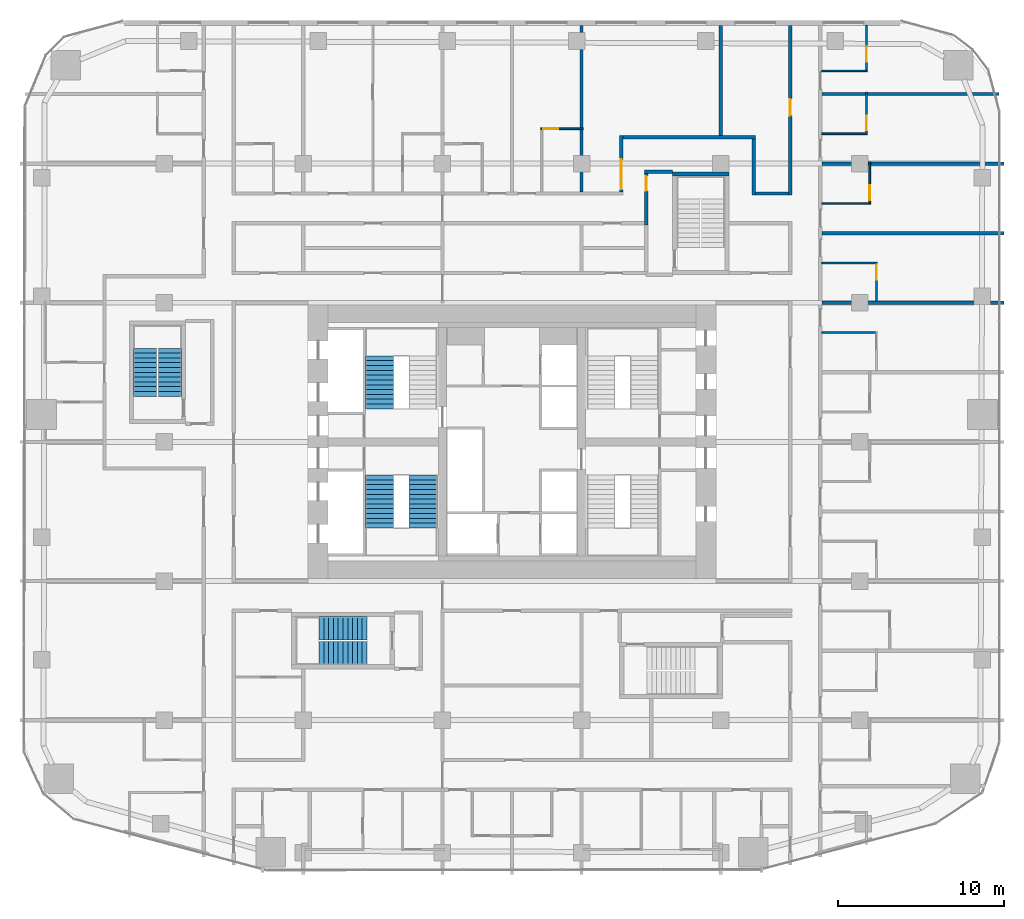
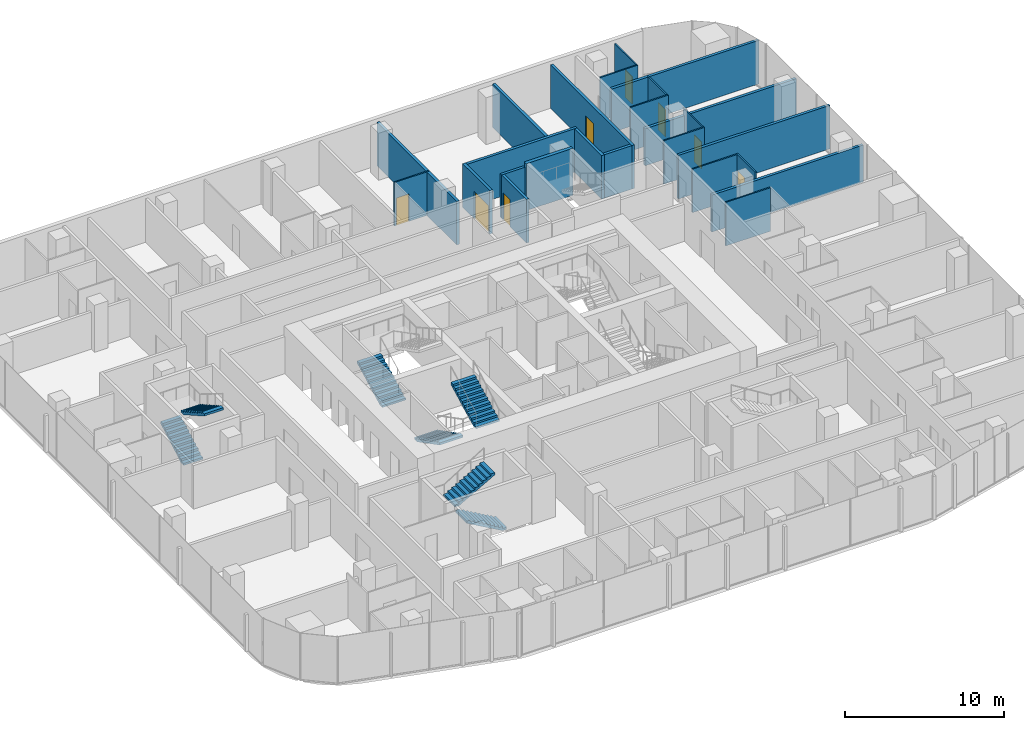
# One storey, part 23 of 26: 24 walls, 8 doors, 7 stair flights, 8 openings, 4 elements without a shape of their own.
"""IFC4 building model written with IfcOpenShell, lengths in metres."""

from ifc_helpers import new_model, si_unit, direction, frame, frame_2d, origin, place, context, subcontext, project, spatial, polyline, rectangle, outline, extrude, material, layer, layer_set, type_object, element, fill, aggregate, save


model = new_model("IFC4")

# Units and contexts
model_context = context("Model", 3, precision=1e-05, world=origin(), true_north=direction((0.0, 1.0)))
body_context = subcontext(model_context, "Body", "Model", "MODEL_VIEW")
ifc_project = project(units=[si_unit("LENGTHUNIT", "METRE"), si_unit("AREAUNIT", "SQUARE_METRE"), si_unit("VOLUMEUNIT", "CUBIC_METRE"), si_unit("PLANEANGLEUNIT", "RADIAN"), si_unit("MASSUNIT", "GRAM", prefix="KILO")], contexts=[model_context])

# Site, building, storey
site_placement = place(None, origin())
site = spatial("IfcSite", under=ifc_project, at=site_placement, CompositionType="ELEMENT")
building_placement = place(site_placement, origin())
building = spatial("IfcBuilding", under=site, at=building_placement, Name="Marenta Gate Hotel Tower", CompositionType="ELEMENT")
storey_placement = place(building_placement, frame((0.0, 0.0, 79.699951171875)))
storey = spatial("IfcBuildingStorey", under=building, at=storey_placement, Name="L18", CompositionType="ELEMENT", Elevation=79.699951171875)

# Wall
ifc_material_1 = material(Name="Concrete C40", Category="concrete")
ifc_layer_1 = layer(ifc_material_1, 0.25)
ifc_layer_set_1 = layer_set([ifc_layer_1], Name="Concrete C40")
wall_type_1 = type_object("IfcWallType", Name="Remote stair enclosure wall 250 REI 180", PredefinedType="SHEAR", material=ifc_layer_set_1)
wall_1_placement = place(storey_placement, frame((9.699951171875, 24.574951171875, 0.10009765625), z_axis=(0.0, 0.0, 1.0), x_axis=(1.0, 0.0, 0.0)))
element("IfcWall", 1, at=wall_1_placement, inside=storey, type_object=wall_type_1, Name="L18-RS-Z1-4-W2", PredefinedType="SHEAR", context=body_context, shape_type="SweptSolid", body=[
    extrude(rectangle(XDim=3.400146484375, YDim=0.25, at=frame_2d((1.7001953125, 0.0))), origin(), (0.0, 0.0, 1.0), 3.599853515625),
])

# Wall, opening, door
ifc_material_2 = material(Name="Gypsum board on steel stud", Category="steel")
ifc_layer_2 = layer(ifc_material_2, 0.199951171875)
ifc_layer_set_2 = layer_set([ifc_layer_2], Name="Gypsum board on steel stud")
wall_type_2 = type_object("IfcWallType", Name="Room corridor wall 200 EI 60", PredefinedType="PARTITIONING", material=ifc_layer_set_2)
wall_2_placement = place(storey_placement, frame((16.800048828125, 23.300048828125, 0.0), z_axis=(0.0, 0.0, 1.0), x_axis=(0.0, 1.0, 0.0)))
wall_2 = element("IfcWall", 2, at=wall_2_placement, inside=storey, type_object=wall_type_2, Name="L18-PTN-W019", PredefinedType="PARTITIONING", context=body_context, shape_type="SweptSolid", body=[
    extrude(rectangle(XDim=10.239990234375, YDim=0.199951171875, at=frame_2d((5.1201171875, 0.0))), origin(), (0.0, 0.0, 1.0), 3.340087890625),
])
opening_1_placement = place(wall_2_placement, frame((4.800048828125, 0.0, 0.0)))
opening_1 = element("IfcOpeningElement", 3, at=opening_1_placement, cuts=wall_2, Name="Opening G07-69", PredefinedType="OPENING", context=body_context, shape_type="SweptSolid", body=[
    extrude(rectangle(XDim=1.0, YDim=2.10009765625, at=frame_2d((0.5, 1.050048828125))), frame((0.0, 0.10009765625, 0.0), z_axis=(0.0, -1.0, 0.0), x_axis=(1.0, 0.0, 0.0)), (0.0, 0.0, 1.0), 0.199951171875),
])
ifc_material_3 = material(Name="Timber door leaf", Category="wood")
door_type_1 = type_object("IfcDoorType", Name="Room amenity door 1000x2100 EI 30", OperationType="NOTDEFINED", PredefinedType="DOOR", material=ifc_material_3)
door_1_placement = place(opening_1_placement, origin())
door_1 = element("IfcDoor", 4, at=door_1_placement, inside=storey, type_object=door_type_1, Name="L18-PD-D069", OperationType="SINGLE_SWING_LEFT", OverallHeight=2.10009765625, OverallWidth=1.0, PredefinedType="DOOR", context=body_context, shape_type="SweptSolid", body=[
    extrude(rectangle(XDim=1.0, YDim=2.10009765625, at=frame_2d((0.5, 1.050048828125))), frame((0.0, 0.02490234375, 0.0), z_axis=(0.0, -1.0, 0.0), x_axis=(1.0, 0.0, 0.0)), (0.0, 0.0, 1.0), 0.050048828125),
])
fill(opening_1, door_1)

# Wall
wall_3_placement = place(storey_placement, frame((14.60009765625, 23.300048828125, 0.0), z_axis=(0.0, 0.0, 1.0), x_axis=(0.0, 1.0, 0.0)))
element("IfcWall", 5, at=wall_3_placement, inside=storey, type_object=wall_type_2, Name="L18-PTN-W031", PredefinedType="PARTITIONING", context=body_context, shape_type="SweptSolid", body=[
    extrude(rectangle(XDim=3.39990234375, YDim=0.199951171875, at=frame_2d((1.699951171875, 0.0))), origin(), (0.0, 0.0, 1.0), 3.340087890625),
])

# Wall, opening, door
wall_4_placement = place(storey_placement, frame((6.60009765625, 23.5, 0.0), z_axis=(0.0, 0.0, 1.0), x_axis=(0.0, 1.0, 0.0)))
wall_4 = element("IfcWall", 6, at=wall_4_placement, inside=storey, type_object=wall_type_2, Name="L18-PTN-W051", PredefinedType="PARTITIONING", context=body_context, shape_type="SweptSolid", body=[
    extrude(rectangle(XDim=3.39990234375, YDim=0.199951171875, at=frame_2d((1.699951171875, 0.0))), origin(), (0.0, 0.0, 1.0), 3.340087890625),
])
opening_2_placement = place(wall_4_placement, frame((0.14990234375, 0.0, 0.0)))
opening_2 = element("IfcOpeningElement", 7, at=opening_2_placement, cuts=wall_4, Name="Opening G07-40", PredefinedType="OPENING", context=body_context, shape_type="SweptSolid", body=[
    extrude(rectangle(XDim=1.800048828125, YDim=2.10009765625, at=frame_2d((0.89990234375, 1.050048828125))), frame((0.0, 0.10009765625, 0.0), z_axis=(0.0, -1.0, 0.0), x_axis=(1.0, 0.0, 0.0)), (0.0, 0.0, 1.0), 0.199951171875),
])
ifc_material_4 = material(Name="Timber door leaf", Category="wood")
door_type_2 = type_object("IfcDoorType", Name="Room amenity door 1800x2100 EI 30", OperationType="DOUBLE_DOOR_SINGLE_SWING", PredefinedType="DOOR", material=ifc_material_4)
door_2_placement = place(opening_2_placement, origin())
door_2 = element("IfcDoor", 8, at=door_2_placement, inside=storey, type_object=door_type_2, Name="L18-PD-D040", OperationType="DOUBLE_DOOR_SINGLE_SWING", OverallHeight=2.10009765625, OverallWidth=1.800048828125, PredefinedType="DOOR", context=body_context, shape_type="SweptSolid", body=[
    extrude(rectangle(XDim=1.800048828125, YDim=2.10009765625, at=frame_2d((0.89990234375, 1.050048828125))), frame((0.0, 0.02490234375, 0.0), z_axis=(0.0, -1.0, 0.0), x_axis=(1.0, 0.0, 0.0)), (0.0, 0.0, 1.0), 0.050048828125),
])
fill(opening_2, door_2)

# Walls
wall_5_placement = place(storey_placement, frame((14.699951171875, 23.39990234375, 0.0), z_axis=(0.0, 0.0, 1.0), x_axis=(1.0, 0.0, 0.0)))
element("IfcWall", 9, at=wall_5_placement, inside=storey, type_object=wall_type_2, Name="L18-PTN-W132", PredefinedType="PARTITIONING", context=body_context, shape_type="SweptSolid", body=[
    extrude(rectangle(XDim=2.0, YDim=0.199951171875, at=frame_2d((1.0, 0.0))), origin(), (0.0, 0.0, 1.0), 3.340087890625),
])
wall_6_placement = place(storey_placement, frame((6.699951171875, 26.800048828125, 0.0), z_axis=(0.0, 0.0, 1.0), x_axis=(1.0, 0.0, 0.0)))
element("IfcWall", 10, at=wall_6_placement, inside=storey, type_object=wall_type_2, Name="L18-PTN-W139", PredefinedType="PARTITIONING", context=body_context, shape_type="SweptSolid", body=[
    extrude(rectangle(XDim=8.0, YDim=0.199951171875, at=frame_2d((4.0, 0.0))), origin(), (0.0, 0.0, 1.0), 3.340087890625),
])

# Wall, opening, door
ifc_material_5 = material(Name="Concrete blockwork", Category="masonry")
ifc_layer_3 = layer(ifc_material_5, 0.199951171875)
ifc_layer_set_3 = layer_set([ifc_layer_3], Name="Concrete blockwork")
wall_type_3 = type_object("IfcWallType", Name="Room corridor wall 200 REI 180", PredefinedType="PARTITIONING", material=ifc_layer_set_3)
wall_7_placement = place(storey_placement, frame((8.10009765625, 21.5, 0.0), z_axis=(0.0, 0.0, 1.0), x_axis=(0.0, 1.0, 0.0)))
wall_7 = element("IfcWall", 11, at=wall_7_placement, inside=storey, type_object=wall_type_3, Name="L18-PTN-W049", PredefinedType="PARTITIONING", context=body_context, shape_type="SweptSolid", body=[
    extrude(rectangle(XDim=3.10009765625, YDim=0.199951171875, at=frame_2d((1.550048828125, 0.0))), origin(), (0.0, 0.0, 1.0), 3.340087890625),
])
opening_3_placement = place(wall_7_placement, frame((2.050048828125, 0.0, 0.0)))
opening_3 = element("IfcOpeningElement", 12, at=opening_3_placement, cuts=wall_7, Name="Opening G07-67", PredefinedType="OPENING", context=body_context, shape_type="SweptSolid", body=[
    extrude(rectangle(XDim=0.89990234375, YDim=2.10009765625, at=frame_2d((0.449951171875, 1.050048828125))), frame((0.0, 0.10009765625, 0.0), z_axis=(0.0, -1.0, 0.0), x_axis=(1.0, 0.0, 0.0)), (0.0, 0.0, 1.0), 0.199951171875),
])
ifc_material_6 = material(Name="Hollow steel door set", Category="steel")
door_type_3 = type_object("IfcDoorType", Name="Stair vestibule door 900x2100 EI 60", OperationType="NOTDEFINED", PredefinedType="DOOR", material=ifc_material_6)
door_3_placement = place(opening_3_placement, origin())
door_3 = element("IfcDoor", 13, at=door_3_placement, inside=storey, type_object=door_type_3, Name="L18-PD-D067", OperationType="SINGLE_SWING_LEFT", OverallHeight=2.10009765625, OverallWidth=0.89990234375, PredefinedType="DOOR", context=body_context, shape_type="SweptSolid", body=[
    extrude(rectangle(XDim=0.89990234375, YDim=2.10009765625, at=frame_2d((0.449951171875, 1.050048828125))), frame((0.0, 0.02490234375, 0.0), z_axis=(0.0, -1.0, 0.0), x_axis=(1.0, 0.0, 0.0)), (0.0, 0.0, 1.0), 0.050048828125),
])
fill(opening_3, door_3)

# Wall
wall_8_placement = place(storey_placement, frame((8.0, 24.699951171875, 0.0), z_axis=(0.0, 0.0, 1.0), x_axis=(1.0, 0.0, 0.0)))
element("IfcWall", 14, at=wall_8_placement, inside=storey, type_object=wall_type_3, Name="L18-PTN-W134", PredefinedType="PARTITIONING", context=body_context, shape_type="SweptSolid", body=[
    extrude(rectangle(XDim=1.699951171875, YDim=0.199951171875, at=frame_2d((0.85009765625, 0.0))), origin(), (0.0, 0.0, 1.0), 3.340087890625),
])

# Wall, opening, door
ifc_material_7 = material(Name="Gypsum board on steel stud", Category="steel")
ifc_layer_4 = layer(ifc_material_7, 0.10009765625)
ifc_layer_set_4 = layer_set([ifc_layer_4], Name="Gypsum board on steel stud")
wall_type_4 = type_object("IfcWallType", Name="Room partition 100", PredefinedType="PARTITIONING", material=ifc_layer_set_4)
wall_9_placement = place(storey_placement, frame((22.0, 16.89990234375, 0.0), z_axis=(0.0, 0.0, 1.0), x_axis=(0.0, 1.0, 0.0)))
wall_9 = element("IfcWall", 15, at=wall_9_placement, inside=storey, type_object=wall_type_4, Name="L18-PTN-W005", PredefinedType="PARTITIONING", context=body_context, shape_type="SweptSolid", body=[
    extrude(rectangle(XDim=2.35009765625, YDim=0.10009765625, at=frame_2d((1.175048828125, 0.0))), origin(), (0.0, 0.0, 1.0), 3.340087890625),
])
opening_4_placement = place(wall_9_placement, frame((1.300048828125, 0.0, 0.0)))
opening_4 = element("IfcOpeningElement", 16, at=opening_4_placement, cuts=wall_9, Name="Opening G07-24", PredefinedType="OPENING", context=body_context, shape_type="SweptSolid", body=[
    extrude(rectangle(XDim=0.89990234375, YDim=2.10009765625, at=frame_2d((0.449951171875, 1.050048828125))), frame((0.0, 0.050048828125, 0.0), z_axis=(0.0, -1.0, 0.0), x_axis=(1.0, 0.0, 0.0)), (0.0, 0.0, 1.0), 0.10009765625),
])
ifc_material_8 = material(Name="Timber door leaf", Category="wood")
door_type_4 = type_object("IfcDoorType", Name="Guest bathroom door 900x2100", OperationType="NOTDEFINED", PredefinedType="DOOR", material=ifc_material_8)
door_4_placement = place(opening_4_placement, origin())
door_4 = element("IfcDoor", 17, at=door_4_placement, inside=storey, type_object=door_type_4, Name="L18-PD-D024", OperationType="SINGLE_SWING_RIGHT", OverallHeight=2.10009765625, OverallWidth=0.89990234375, PredefinedType="DOOR", context=body_context, shape_type="SweptSolid", body=[
    extrude(rectangle(XDim=0.89990234375, YDim=2.10009765625, at=frame_2d((0.449951171875, 1.050048828125))), frame((0.0, 0.02490234375, 0.0), z_axis=(0.0, -1.0, 0.0), x_axis=(1.0, 0.0, 0.0)), (0.0, 0.0, 1.0), 0.050048828125),
])
fill(opening_4, door_4)

wall_10_placement = place(storey_placement, frame((21.60009765625, 22.85009765625, 0.0), z_axis=(0.0, 0.0, 1.0), x_axis=(0.0, 1.0, 0.0)))
wall_10 = element("IfcWall", 18, at=wall_10_placement, inside=storey, type_object=wall_type_4, Name="L18-PTN-W009", PredefinedType="PARTITIONING", context=body_context, shape_type="SweptSolid", body=[
    extrude(rectangle(XDim=2.449951171875, YDim=0.10009765625, at=frame_2d((1.22509765625, 0.0))), origin(), (0.0, 0.0, 1.0), 3.340087890625),
])
opening_5_placement = place(wall_10_placement, frame((0.14990234375, 0.0, 0.0)))
opening_5 = element("IfcOpeningElement", 19, at=opening_5_placement, cuts=wall_10, Name="Opening G07-26", PredefinedType="OPENING", context=body_context, shape_type="SweptSolid", body=[
    extrude(rectangle(XDim=0.89990234375, YDim=2.10009765625, at=frame_2d((0.449951171875, 1.050048828125))), frame((0.0, 0.050048828125, 0.0), z_axis=(0.0, -1.0, 0.0), x_axis=(1.0, 0.0, 0.0)), (0.0, 0.0, 1.0), 0.10009765625),
])
door_5_placement = place(opening_5_placement, origin())
door_5 = element("IfcDoor", 20, at=door_5_placement, inside=storey, type_object=door_type_4, Name="L18-PD-D026", OperationType="SINGLE_SWING_LEFT", OverallHeight=2.10009765625, OverallWidth=0.89990234375, PredefinedType="DOOR", context=body_context, shape_type="SweptSolid", body=[
    extrude(rectangle(XDim=0.89990234375, YDim=2.10009765625, at=frame_2d((0.449951171875, 1.050048828125))), frame((0.0, 0.02490234375, 0.0), z_axis=(0.0, -1.0, 0.0), x_axis=(1.0, 0.0, 0.0)), (0.0, 0.0, 1.0), 0.050048828125),
])
fill(opening_5, door_5)

wall_11_placement = place(storey_placement, frame((21.39990234375, 27.050048828125, 0.0), z_axis=(0.0, 0.0, 1.0), x_axis=(0.0, 1.0, 0.0)))
wall_11 = element("IfcWall", 21, at=wall_11_placement, inside=storey, type_object=wall_type_4, Name="L18-PTN-W011", PredefinedType="PARTITIONING", context=body_context, shape_type="SweptSolid", body=[
    extrude(rectangle(XDim=2.449951171875, YDim=0.10009765625, at=frame_2d((1.22509765625, 0.0))), origin(), (0.0, 0.0, 1.0), 3.340087890625),
])
opening_6_placement = place(wall_11_placement, frame((0.14990234375, 0.0, 0.0)))
opening_6 = element("IfcOpeningElement", 22, at=opening_6_placement, cuts=wall_11, Name="Opening G07-28", PredefinedType="OPENING", context=body_context, shape_type="SweptSolid", body=[
    extrude(rectangle(XDim=0.89990234375, YDim=2.10009765625, at=frame_2d((0.449951171875, 1.050048828125))), frame((0.0, 0.050048828125, 0.0), z_axis=(0.0, -1.0, 0.0), x_axis=(1.0, 0.0, 0.0)), (0.0, 0.0, 1.0), 0.10009765625),
])
door_6_placement = place(opening_6_placement, origin())
door_6 = element("IfcDoor", 23, at=door_6_placement, inside=storey, type_object=door_type_4, Name="L18-PD-D028", OperationType="SINGLE_SWING_LEFT", OverallHeight=2.10009765625, OverallWidth=0.89990234375, PredefinedType="DOOR", context=body_context, shape_type="SweptSolid", body=[
    extrude(rectangle(XDim=0.89990234375, YDim=2.10009765625, at=frame_2d((0.449951171875, 1.050048828125))), frame((0.0, 0.02490234375, 0.0), z_axis=(0.0, -1.0, 0.0), x_axis=(1.0, 0.0, 0.0)), (0.0, 0.0, 1.0), 0.050048828125),
])
fill(opening_6, door_6)

wall_12_placement = place(storey_placement, frame((21.39990234375, 30.85009765625, 0.0), z_axis=(0.0, 0.0, 1.0), x_axis=(0.0, 1.0, 0.0)))
wall_12 = element("IfcWall", 24, at=wall_12_placement, inside=storey, type_object=wall_type_4, Name="L18-PTN-W012", PredefinedType="PARTITIONING", context=body_context, shape_type="SweptSolid", body=[
    extrude(rectangle(XDim=2.68994140625, YDim=0.10009765625, at=frame_2d((1.344970703125, 0.0))), origin(), (0.0, 0.0, 1.0), 3.340087890625),
])
opening_7_placement = place(wall_12_placement, frame((0.5, 0.0, 0.0)))
opening_7 = element("IfcOpeningElement", 25, at=opening_7_placement, cuts=wall_12, Name="Opening G07-30", PredefinedType="OPENING", context=body_context, shape_type="SweptSolid", body=[
    extrude(rectangle(XDim=0.89990234375, YDim=2.10009765625, at=frame_2d((0.449951171875, 1.050048828125))), frame((0.0, 0.050048828125, 0.0), z_axis=(0.0, -1.0, 0.0), x_axis=(1.0, 0.0, 0.0)), (0.0, 0.0, 1.0), 0.10009765625),
])
door_7_placement = place(opening_7_placement, origin())
door_7 = element("IfcDoor", 26, at=door_7_placement, inside=storey, type_object=door_type_4, Name="L18-PD-D030", OperationType="SINGLE_SWING_LEFT", OverallHeight=2.10009765625, OverallWidth=0.89990234375, PredefinedType="DOOR", context=body_context, shape_type="SweptSolid", body=[
    extrude(rectangle(XDim=0.89990234375, YDim=2.10009765625, at=frame_2d((0.449951171875, 1.050048828125))), frame((0.0, 0.02490234375, 0.0), z_axis=(0.0, -1.0, 0.0), x_axis=(1.0, 0.0, 0.0)), (0.0, 0.0, 1.0), 0.050048828125),
])
fill(opening_7, door_7)

# Walls
for number, where, z_axis, x_axis, name in (
    (27, (18.699951171875, 15.0, 0.0), (0.0, 0.0, 1.0), (1.0, 0.0, 0.0), "L18-PTN-W103"),
    (28, (18.699951171875, 19.199951171875, 0.0), (0.0, 0.0, 1.0), (1.0, 0.0, 0.0), "L18-PTN-W120"),
):
    element("IfcWall", number, at=place(storey_placement, frame(where, z_axis=z_axis, x_axis=x_axis)), inside=storey, type_object=wall_type_4, Name=name, PredefinedType="PARTITIONING", context=body_context, shape_type="SweptSolid", body=[
        extrude(rectangle(XDim=3.25, YDim=0.10009765625, at=frame_2d((1.625, 0.0))), origin(), (0.0, 0.0, 1.0), 3.340087890625),
    ])
wall_13_placement = place(storey_placement, frame((18.699951171875, 22.800048828125, 0.0), z_axis=(0.0, 0.0, 1.0), x_axis=(1.0, 0.0, 0.0)))
element("IfcWall", 29, at=wall_13_placement, inside=storey, type_object=wall_type_4, Name="L18-PTN-W129", PredefinedType="PARTITIONING", context=body_context, shape_type="SweptSolid", body=[
    extrude(rectangle(XDim=2.949951171875, YDim=0.10009765625, at=frame_2d((1.47509765625, 0.0))), origin(), (0.0, 0.0, 1.0), 3.340087890625),
])
wall_14_placement = place(storey_placement, frame((18.699951171875, 27.0, 0.0), z_axis=(0.0, 0.0, 1.0), x_axis=(1.0, 0.0, 0.0)))
element("IfcWall", 30, at=wall_14_placement, inside=storey, type_object=wall_type_4, Name="L18-PTN-W142", PredefinedType="PARTITIONING", context=body_context, shape_type="SweptSolid", body=[
    extrude(rectangle(XDim=2.75, YDim=0.10009765625, at=frame_2d((1.375, 0.0))), origin(), (0.0, 0.0, 1.0), 3.340087890625),
])

# Wall, opening, door
wall_15_placement = place(storey_placement, frame((1.75, 27.300048828125, 0.0), z_axis=(0.0, 0.0, 1.0), x_axis=(1.0, 0.0, 0.0)))
wall_15 = element("IfcWall", 31, at=wall_15_placement, inside=storey, type_object=wall_type_4, Name="L18-PTN-W143", PredefinedType="PARTITIONING", context=body_context, shape_type="SweptSolid", body=[
    extrude(rectangle(XDim=2.550048828125, YDim=0.10009765625, at=frame_2d((1.27490234375, 0.0))), origin(), (0.0, 0.0, 1.0), 3.340087890625),
])
opening_8_placement = place(wall_15_placement, frame((0.14990234375, 0.0, 0.0)))
opening_8 = element("IfcOpeningElement", 32, at=opening_8_placement, cuts=wall_15, Name="Opening G07-39", PredefinedType="OPENING", context=body_context, shape_type="SweptSolid", body=[
    extrude(rectangle(XDim=0.89990234375, YDim=2.10009765625, at=frame_2d((0.449951171875, 1.050048828125))), frame((0.0, 0.050048828125, 0.0), z_axis=(0.0, -1.0, 0.0), x_axis=(1.0, 0.0, 0.0)), (0.0, 0.0, 1.0), 0.10009765625),
])
door_8_placement = place(opening_8_placement, origin())
door_8 = element("IfcDoor", 33, at=door_8_placement, inside=storey, type_object=door_type_4, Name="L18-PD-D039", OperationType="SINGLE_SWING_RIGHT", OverallHeight=2.10009765625, OverallWidth=0.89990234375, PredefinedType="DOOR", context=body_context, shape_type="SweptSolid", body=[
    extrude(rectangle(XDim=0.89990234375, YDim=2.10009765625, at=frame_2d((0.449951171875, 1.050048828125))), frame((0.0, 0.02490234375, 0.0), z_axis=(0.0, -1.0, 0.0), x_axis=(1.0, 0.0, 0.0)), (0.0, 0.0, 1.0), 0.050048828125),
])
fill(opening_8, door_8)

# Walls
wall_16_placement = place(storey_placement, frame((18.699951171875, 30.800048828125, 0.0), z_axis=(0.0, 0.0, 1.0), x_axis=(1.0, 0.0, 0.0)))
element("IfcWall", 34, at=wall_16_placement, inside=storey, type_object=wall_type_4, Name="L18-PTN-W149", PredefinedType="PARTITIONING", context=body_context, shape_type="SweptSolid", body=[
    extrude(rectangle(XDim=2.75, YDim=0.10009765625, at=frame_2d((1.375, 0.0))), origin(), (0.0, 0.0, 1.0), 3.340087890625),
])
ifc_material_9 = material(Name="Gypsum board on steel stud", Category="steel")
ifc_layer_5 = layer(ifc_material_9, 0.199951171875)
ifc_layer_set_5 = layer_set([ifc_layer_5], Name="Gypsum board on steel stud")
wall_type_5 = type_object("IfcWallType", Name="Room party wall 200 EI 60", PredefinedType="PARTITIONING", material=ifc_layer_set_5)
wall_17_placement = place(storey_placement, frame((12.60009765625, 26.89990234375, 0.0), z_axis=(0.0, 0.0, 1.0), x_axis=(0.0, 1.0, 0.0)))
element("IfcWall", 35, at=wall_17_placement, inside=storey, type_object=wall_type_5, Name="L18-PTN-W036", PredefinedType="PARTITIONING", context=body_context, shape_type="SweptSolid", body=[
    extrude(rectangle(XDim=6.64013671875, YDim=0.199951171875, at=frame_2d((3.320068359375, 0.0))), origin(), (0.0, 0.0, 1.0), 3.340087890625),
])
wall_18_placement = place(storey_placement, frame((4.199951171875, 23.5, 0.0), z_axis=(0.0, 0.0, 1.0), x_axis=(0.0, 1.0, 0.0)))
element("IfcWall", 36, at=wall_18_placement, inside=storey, type_object=wall_type_5, Name="L18-PTN-W060", PredefinedType="PARTITIONING", context=body_context, shape_type="SweptSolid", body=[
    extrude(rectangle(XDim=10.0400390625, YDim=0.199951171875, at=frame_2d((5.02001953125, 0.0))), origin(), (0.0, 0.0, 1.0), 3.340087890625),
])
wall_19_placement = place(storey_placement, frame((18.699951171875, 16.800048828125, 0.0), z_axis=(0.0, 0.0, 1.0), x_axis=(1.0, 0.0, 0.0)))
element("IfcWall", 37, at=wall_19_placement, inside=storey, type_object=wall_type_5, Name="L18-PTN-W112", PredefinedType="PARTITIONING", context=body_context, shape_type="SweptSolid", body=[
    extrude(rectangle(XDim=11.0, YDim=0.199951171875, at=frame_2d((5.5, 0.0))), origin(), (0.0, 0.0, 1.0), 2.840087890625),
])
wall_20_placement = place(storey_placement, frame((18.699951171875, 21.0, 0.0), z_axis=(0.0, 0.0, 1.0), x_axis=(1.0, 0.0, 0.0)))
element("IfcWall", 38, at=wall_20_placement, inside=storey, type_object=wall_type_5, Name="L18-PTN-W123", PredefinedType="PARTITIONING", context=body_context, shape_type="SweptSolid", body=[
    extrude(rectangle(XDim=11.0, YDim=0.199951171875, at=frame_2d((5.5, 0.0))), origin(), (0.0, 0.0, 1.0), 3.340087890625),
])
wall_21_placement = place(storey_placement, frame((18.699951171875, 25.199951171875, 0.0), z_axis=(0.0, 0.0, 1.0), x_axis=(1.0, 0.0, 0.0)))
element("IfcWall", 39, at=wall_21_placement, inside=storey, type_object=wall_type_5, Name="L18-PTN-W136", PredefinedType="PARTITIONING", context=body_context, shape_type="SweptSolid", body=[
    extrude(rectangle(XDim=11.0, YDim=0.199951171875, at=frame_2d((5.5, 0.0))), origin(), (0.0, 0.0, 1.0), 2.840087890625),
])
wall_22_placement = place(storey_placement, frame((18.699951171875, 29.39990234375, 0.0), z_axis=(0.0, 0.0, 1.0), x_axis=(1.0, 0.0, 0.0)))
element("IfcWall", 40, at=wall_22_placement, inside=storey, type_object=wall_type_5, Name="L18-PTN-W147", PredefinedType="PARTITIONING", context=body_context, shape_type="SweptSolid", body=[
    extrude(rectangle(XDim=10.693115234375, YDim=0.199951171875, at=frame_2d((5.3466796875, 0.0))), origin(), (0.0, 0.0, 1.0), 3.340087890625),
])

# Stair, stair flights
ifc_material_10 = material(Name="Concrete C40", Category="concrete")
stair_type_1 = type_object("IfcStairType", Name="Core exit stair 1700 wide", PredefinedType="HALF_TURN_STAIR", material=ifc_material_10)
stair_1_placement = place(storey_placement, origin())
stair_1 = element("IfcStair", 41, at=stair_1_placement, inside=storey, type_object=stair_type_1, Name="Exit stair 1", PredefinedType="HALF_TURN_STAIR")
ifc_material_11 = material(Name="Concrete C40", Category="concrete")
stair_flight_type_1 = type_object("IfcStairFlightType", Name="Core stair flight 1700 riser 150.0 going 290", PredefinedType="STRAIGHT", material=ifc_material_11)
stair_flight_1_placement = place(storey_placement, frame((-8.0, 6.39990234375, 0.0), z_axis=(0.0, 0.0, 1.0), x_axis=(0.0, -1.0, 0.0)))
stair_flight_1 = element("IfcStairFlight", 42, at=stair_flight_1_placement, type_object=stair_flight_type_1, Name="ST1 flight 1", NumberOfRisers=12, NumberOfTreads=11, PredefinedType="STRAIGHT", RiserHeight=0.15, TreadLength=0.29, context=body_context, shape_type="SweptSolid", body=[
    extrude(outline(polyline([(0.0, 0.0), (0.0, 0.14990234375), (0.2900390625, 0.14990234375), (0.2900390625, 0.300048828125), (0.580078125, 0.300048828125), (0.580078125, 0.449951171875), (0.8701171875, 0.449951171875), (0.8701171875, 0.60009765625), (1.159912109375, 0.60009765625), (1.159912109375, 0.75), (1.449951171875, 0.75), (1.449951171875, 0.89990234375), (1.739990234375, 0.89990234375), (1.739990234375, 1.050048828125), (2.030029296875, 1.050048828125), (2.030029296875, 1.199951171875), (2.320068359375, 1.199951171875), (2.320068359375, 1.35009765625), (2.610107421875, 1.35009765625), (2.610107421875, 1.5), (2.89990234375, 1.5), (2.89990234375, 1.64990234375), (3.18994140625, 1.64990234375), (3.18994140625, 1.800048828125), (3.18994140625, 1.481201171875), (0.326171875, 0.0), (0.0, 0.0)])), frame((0.0, 0.85009765625, 0.0), z_axis=(0.0, -1.0, 0.0), x_axis=(1.0, 0.0, 0.0)), (0.0, 0.0, 1.0), 1.699951171875),
])
stair_flight_2_placement = place(storey_placement, frame((-5.35009765625, 3.2099609375, 1.800048828125), z_axis=(0.0, 0.0, 1.0), x_axis=(0.0, 1.0, 0.0)))
stair_flight_2 = element("IfcStairFlight", 43, at=stair_flight_2_placement, type_object=stair_flight_type_1, Name="ST1 flight 2", NumberOfRisers=12, NumberOfTreads=11, PredefinedType="STRAIGHT", RiserHeight=0.15, TreadLength=0.29, context=body_context, shape_type="SweptSolid", body=[
    extrude(outline(polyline([(0.0, 0.0), (0.0, 0.14990234375), (0.2900390625, 0.14990234375), (0.2900390625, 0.300048828125), (0.580078125, 0.300048828125), (0.580078125, 0.449951171875), (0.8701171875, 0.449951171875), (0.8701171875, 0.60009765625), (1.159912109375, 0.60009765625), (1.159912109375, 0.75), (1.449951171875, 0.75), (1.449951171875, 0.89990234375), (1.739990234375, 0.89990234375), (1.739990234375, 1.050048828125), (2.030029296875, 1.050048828125), (2.030029296875, 1.199951171875), (2.320068359375, 1.199951171875), (2.320068359375, 1.35009765625), (2.610107421875, 1.35009765625), (2.610107421875, 1.5), (2.89990234375, 1.5), (2.89990234375, 1.64990234375), (3.18994140625, 1.64990234375), (3.18994140625, 1.800048828125), (3.18994140625, 1.481201171875), (0.326171875, 0.0), (0.0, 0.0)])), frame((0.0, 0.85009765625, 0.0), z_axis=(0.0, -1.0, 0.0), x_axis=(1.0, 0.0, 0.0)), (0.0, 0.0, 1.0), 1.699951171875),
])
aggregate(stair_1, [stair_flight_1, stair_flight_2])

# Stair, stair flight
stair_2_placement = place(storey_placement, origin())
stair_2 = element("IfcStair", 44, at=stair_2_placement, inside=storey, type_object=stair_type_1, Name="Exit stair 2", PredefinedType="HALF_TURN_STAIR")
stair_flight_3_placement = place(storey_placement, frame((-8.0, 10.39990234375, 0.0), z_axis=(0.0, 0.0, 1.0), x_axis=(0.0, 1.0, 0.0)))
stair_flight_3 = element("IfcStairFlight", 45, at=stair_flight_3_placement, type_object=stair_flight_type_1, Name="ST2 flight 1", NumberOfRisers=12, NumberOfTreads=11, PredefinedType="STRAIGHT", RiserHeight=0.15, TreadLength=0.29, context=body_context, shape_type="SweptSolid", body=[
    extrude(outline(polyline([(0.0, 0.0), (0.0, 0.14990234375), (0.2900390625, 0.14990234375), (0.2900390625, 0.300048828125), (0.580078125, 0.300048828125), (0.580078125, 0.449951171875), (0.8701171875, 0.449951171875), (0.8701171875, 0.60009765625), (1.159912109375, 0.60009765625), (1.159912109375, 0.75), (1.449951171875, 0.75), (1.449951171875, 0.89990234375), (1.739990234375, 0.89990234375), (1.739990234375, 1.050048828125), (2.030029296875, 1.050048828125), (2.030029296875, 1.199951171875), (2.320068359375, 1.199951171875), (2.320068359375, 1.35009765625), (2.610107421875, 1.35009765625), (2.610107421875, 1.5), (2.89990234375, 1.5), (2.89990234375, 1.64990234375), (3.18994140625, 1.64990234375), (3.18994140625, 1.800048828125), (3.18994140625, 1.481201171875), (0.326171875, 0.0), (0.0, 0.0)])), frame((0.0, 0.85009765625, 0.0), z_axis=(0.0, -1.0, 0.0), x_axis=(1.0, 0.0, 0.0)), (0.0, 0.0, 1.0), 1.699951171875),
])
aggregate(stair_2, [stair_flight_3])

# Stair, stair flights
ifc_material_12 = material(Name="Concrete C40", Category="concrete")
stair_type_2 = type_object("IfcStairType", Name="Remote exit stair 1400 wide", PredefinedType="HALF_TURN_STAIR", material=ifc_material_12)
stair_3_placement = place(storey_placement, origin())
stair_3 = element("IfcStair", 46, at=stair_3_placement, inside=storey, type_object=stair_type_2, Name="Exit stair RS-Z1-2", PredefinedType="HALF_TURN_STAIR")
ifc_material_13 = material(Name="Concrete C40", Category="concrete")
stair_flight_type_2 = type_object("IfcStairFlightType", Name="Remote stair flight 1400 riser 163.6 going 290", PredefinedType="STRAIGHT", material=ifc_material_13)
stair_flight_4_placement = place(storey_placement, frame((-8.75, -4.35009765625, 0.0), z_axis=(0.0, 0.0, 1.0), x_axis=(-1.0, 0.0, 0.0)))
stair_flight_4 = element("IfcStairFlight", 47, at=stair_flight_4_placement, type_object=stair_flight_type_2, Name="RS-Z1-2 flight 1", NumberOfRisers=11, NumberOfTreads=10, PredefinedType="STRAIGHT", RiserHeight=0.163636, TreadLength=0.29, context=body_context, shape_type="SweptSolid", body=[
    extrude(outline(polyline([(0.0, 0.0), (0.0, 0.16357421875), (0.2900390625, 0.16357421875), (0.2900390625, 0.327392578125), (0.580078125, 0.327392578125), (0.580078125, 0.490966796875), (0.8701171875, 0.490966796875), (0.8701171875, 0.654541015625), (1.159912109375, 0.654541015625), (1.159912109375, 0.818115234375), (1.449951171875, 0.818115234375), (1.449951171875, 0.98193359375), (1.739990234375, 0.98193359375), (1.739990234375, 1.1455078125), (2.030029296875, 1.1455078125), (2.030029296875, 1.30908203125), (2.320068359375, 1.30908203125), (2.320068359375, 1.47265625), (2.610107421875, 1.47265625), (2.610107421875, 1.636474609375), (2.89990234375, 1.636474609375), (2.89990234375, 1.800048828125), (2.89990234375, 1.46435546875), (0.304931640625, 0.0), (0.0, 0.0)])), frame((0.0, 0.699951171875, 0.0), z_axis=(0.0, -1.0, 0.0), x_axis=(1.0, 0.0, 0.0)), (0.0, 0.0, 1.0), 1.39990234375),
])
stair_flight_5_placement = place(storey_placement, frame((-11.64990234375, -2.85009765625, 1.800048828125), z_axis=(0.0, 0.0, 1.0), x_axis=(1.0, 0.0, 0.0)))
stair_flight_5 = element("IfcStairFlight", 48, at=stair_flight_5_placement, type_object=stair_flight_type_2, Name="RS-Z1-2 flight 2", NumberOfRisers=11, NumberOfTreads=10, PredefinedType="STRAIGHT", RiserHeight=0.163636, TreadLength=0.29, context=body_context, shape_type="SweptSolid", body=[
    extrude(outline(polyline([(0.0, 0.0), (0.0, 0.16357421875), (0.2900390625, 0.16357421875), (0.2900390625, 0.327392578125), (0.580078125, 0.327392578125), (0.580078125, 0.490966796875), (0.8701171875, 0.490966796875), (0.8701171875, 0.654541015625), (1.159912109375, 0.654541015625), (1.159912109375, 0.818115234375), (1.449951171875, 0.818115234375), (1.449951171875, 0.98193359375), (1.739990234375, 0.98193359375), (1.739990234375, 1.1455078125), (2.030029296875, 1.1455078125), (2.030029296875, 1.30908203125), (2.320068359375, 1.30908203125), (2.320068359375, 1.47265625), (2.610107421875, 1.47265625), (2.610107421875, 1.636474609375), (2.89990234375, 1.636474609375), (2.89990234375, 1.800048828125), (2.89990234375, 1.46435546875), (0.304931640625, 0.0), (0.0, 0.0)])), frame((0.0, 0.699951171875, 0.0), z_axis=(0.0, -1.0, 0.0), x_axis=(1.0, 0.0, 0.0)), (0.0, 0.0, 1.0), 1.39990234375),
])
aggregate(stair_3, [stair_flight_4, stair_flight_5])

stair_4_placement = place(storey_placement, origin())
stair_4 = element("IfcStair", 49, at=stair_4_placement, inside=storey, type_object=stair_type_2, Name="Exit stair RS-Z1-3", PredefinedType="HALF_TURN_STAIR")
stair_flight_6_placement = place(storey_placement, frame((-22.14990234375, 11.14990234375, 0.0), z_axis=(0.0, 0.0, 1.0), x_axis=(0.0, 1.0, 0.0)))
stair_flight_6 = element("IfcStairFlight", 50, at=stair_flight_6_placement, type_object=stair_flight_type_2, Name="RS-Z1-3 flight 1", NumberOfRisers=11, NumberOfTreads=10, PredefinedType="STRAIGHT", RiserHeight=0.163636, TreadLength=0.29, context=body_context, shape_type="SweptSolid", body=[
    extrude(outline(polyline([(0.0, 0.0), (0.0, 0.16357421875), (0.2900390625, 0.16357421875), (0.2900390625, 0.327392578125), (0.580078125, 0.327392578125), (0.580078125, 0.490966796875), (0.8701171875, 0.490966796875), (0.8701171875, 0.654541015625), (1.159912109375, 0.654541015625), (1.159912109375, 0.818115234375), (1.449951171875, 0.818115234375), (1.449951171875, 0.98193359375), (1.739990234375, 0.98193359375), (1.739990234375, 1.1455078125), (2.030029296875, 1.1455078125), (2.030029296875, 1.30908203125), (2.320068359375, 1.30908203125), (2.320068359375, 1.47265625), (2.610107421875, 1.47265625), (2.610107421875, 1.636474609375), (2.89990234375, 1.636474609375), (2.89990234375, 1.800048828125), (2.89990234375, 1.46435546875), (0.304931640625, 0.0), (0.0, 0.0)])), frame((0.0, 0.699951171875, 0.0), z_axis=(0.0, -1.0, 0.0), x_axis=(1.0, 0.0, 0.0)), (0.0, 0.0, 1.0), 1.39990234375),
])
stair_flight_7_placement = place(storey_placement, frame((-20.64990234375, 14.050048828125, 1.800048828125), z_axis=(0.0, 0.0, 1.0), x_axis=(0.0, -1.0, 0.0)))
stair_flight_7 = element("IfcStairFlight", 51, at=stair_flight_7_placement, type_object=stair_flight_type_2, Name="RS-Z1-3 flight 2", NumberOfRisers=11, NumberOfTreads=10, PredefinedType="STRAIGHT", RiserHeight=0.163636, TreadLength=0.29, context=body_context, shape_type="SweptSolid", body=[
    extrude(outline(polyline([(0.0, 0.0), (0.0, 0.16357421875), (0.2900390625, 0.16357421875), (0.2900390625, 0.327392578125), (0.580078125, 0.327392578125), (0.580078125, 0.490966796875), (0.8701171875, 0.490966796875), (0.8701171875, 0.654541015625), (1.159912109375, 0.654541015625), (1.159912109375, 0.818115234375), (1.449951171875, 0.818115234375), (1.449951171875, 0.98193359375), (1.739990234375, 0.98193359375), (1.739990234375, 1.1455078125), (2.030029296875, 1.1455078125), (2.030029296875, 1.30908203125), (2.320068359375, 1.30908203125), (2.320068359375, 1.47265625), (2.610107421875, 1.47265625), (2.610107421875, 1.636474609375), (2.89990234375, 1.636474609375), (2.89990234375, 1.800048828125), (2.89990234375, 1.46435546875), (0.304931640625, 0.0), (0.0, 0.0)])), frame((0.0, 0.699951171875, 0.0), z_axis=(0.0, -1.0, 0.0), x_axis=(1.0, 0.0, 0.0)), (0.0, 0.0, 1.0), 1.39990234375),
])
aggregate(stair_4, [stair_flight_6, stair_flight_7])

save(model, "model.ifc")
